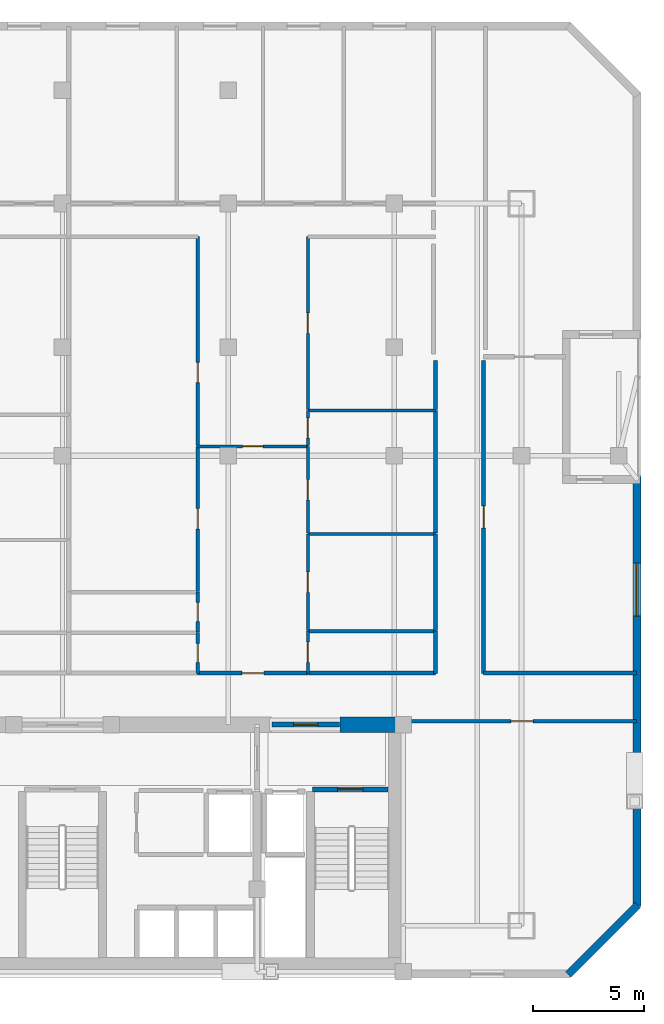
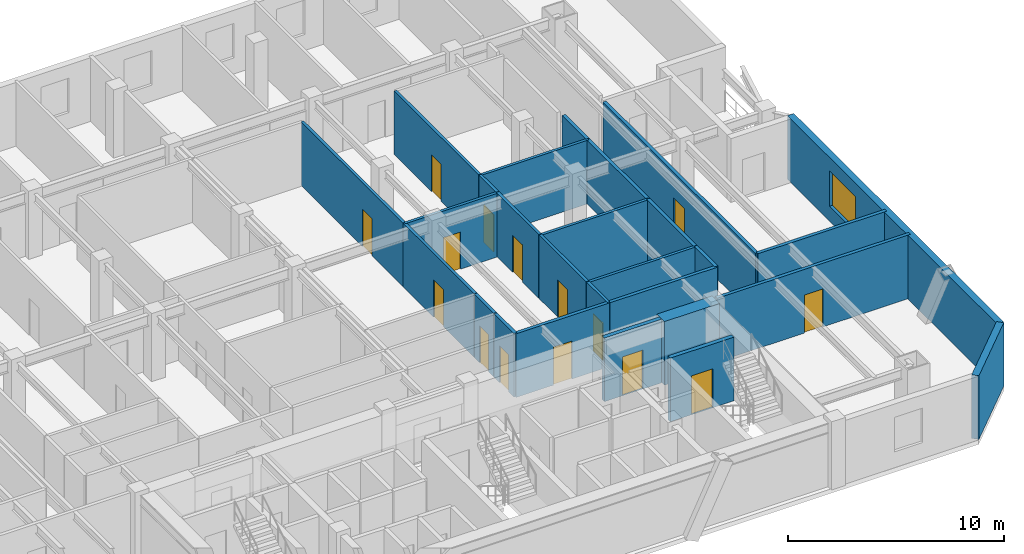
# One storey, part 5 of 9: 27 walls, 15 doors, 1 window, 16 openings.
"""IFC4 building model written with IfcOpenShell, lengths in metres."""

from ifc_helpers import new_model, si_unit, direction, frame, frame_2d, origin, place, context, subcontext, project, spatial, rectangle, extrude, material, layer, layer_set, type_object, element, fill, save


model = new_model("IFC4")

# Units and contexts
model_context = context("Model", 3, precision=1e-05, world=origin(), true_north=direction((0.0, 1.0)))
body_context = subcontext(model_context, "Body", "Model", "MODEL_VIEW")
ifc_project = project(units=[si_unit("LENGTHUNIT", "METRE"), si_unit("AREAUNIT", "SQUARE_METRE"), si_unit("VOLUMEUNIT", "CUBIC_METRE"), si_unit("PLANEANGLEUNIT", "RADIAN"), si_unit("MASSUNIT", "GRAM", prefix="KILO")], contexts=[model_context])

# Site, building, storey
site_placement = place(None, origin())
site = spatial("IfcSite", under=ifc_project, at=site_placement, CompositionType="ELEMENT")
building_placement = place(site_placement, origin())
building = spatial("IfcBuilding", under=site, at=building_placement, Name="Ventersveld Concourse Tower", CompositionType="ELEMENT")
storey_placement = place(building_placement, frame((0.0, 0.0, 108.0)))
storey = spatial("IfcBuildingStorey", under=building, at=storey_placement, Name="L26", CompositionType="ELEMENT", Elevation=108.0)

# Wall
ifc_material_1 = material(Name="Concrete C60/75", Category="concrete")
ifc_layer_1 = layer(ifc_material_1, 0.699951171875)
ifc_layer_set_1 = layer_set([ifc_layer_1], Name="Concrete C60/75")
wall_type_1 = type_object("IfcWallType", Name="WL-CORE-700", PredefinedType="SHEAR", material=ifc_layer_set_1)
wall_1_placement = place(storey_placement, frame((41.300048828125, 11.449951171875, 0.0), z_axis=(0.0, 0.0, 1.0), x_axis=(1.0, 0.0, 0.0)))
element("IfcWall", 1, at=wall_1_placement, inside=storey, type_object=wall_type_1, Name="L26 Rear Core North Shear Wall NE", PredefinedType="SHEAR", context=body_context, shape_type="SweptSolid", body=[
    extrude(rectangle(XDim=2.949951171875, YDim=0.699951171875, at=frame_2d((1.47509765625, 0.0))), origin(), (0.0, 0.0, 1.0), 3.60009765625),
])

# Wall, opening, door
ifc_material_2 = material(Name="Fire-rated autoclaved aerated masonry blockwork", Category="masonry")
ifc_layer_2 = layer(ifc_material_2, 0.179931640625)
ifc_layer_set_2 = layer_set([ifc_layer_2], Name="Fire-rated autoclaved aerated masonry blockwork")
wall_type_2 = type_object("IfcWallType", Name="WL-CORR-180", PredefinedType="PARTITIONING", material=ifc_layer_set_2)
wall_2_placement = place(storey_placement, frame((44.35498046875, 11.60009765625, 0.0), z_axis=(0.0, 0.0, 1.0), x_axis=(1.0, 0.0, 0.0)))
wall_2 = element("IfcWall", 2, at=wall_2_placement, inside=storey, type_object=wall_type_2, Name="L26 Interior Partition SP-L26-SE-OFF-SP-L26-COR", PredefinedType="PARTITIONING", context=body_context, shape_type="SweptSolid", body=[
    extrude(rectangle(XDim=10.3349609375, YDim=0.179931640625, at=frame_2d((5.16748046875, 0.0))), origin(), (0.0, 0.0, 1.0), 3.60009765625),
])
opening_1_placement = place(wall_2_placement, frame((4.66748046875, 0.0, 0.0)))
opening_1 = element("IfcOpeningElement", 3, at=opening_1_placement, cuts=wall_2, Name="Opening FD3", PredefinedType="OPENING", context=body_context, shape_type="SweptSolid", body=[
    extrude(rectangle(XDim=1.0, YDim=2.14990234375, at=frame_2d((0.5, 1.074951171875))), frame((0.0, 0.10009765625, 0.0), z_axis=(0.0, -1.0, 0.0), x_axis=(1.0, 0.0, 0.0)), (0.0, 0.0, 1.0), 0.199951171875),
])
ifc_material_3 = material(Name="Solid-core hardwood veneer timber", Category="wood")
door_type_1 = type_object("IfcDoorType", Name="DR-FLAT-100", OperationType="NOTDEFINED", PredefinedType="DOOR", material=ifc_material_3)
door_1_placement = place(opening_1_placement, origin())
door_1 = element("IfcDoor", 4, at=door_1_placement, inside=storey, type_object=door_type_1, Name="L26 Interior Door SP-L26-SE-OFF to SP-L26-COR (D-L26-1276)", OperationType="SINGLE_SWING_RIGHT", OverallHeight=2.14990234375, OverallWidth=1.0, PredefinedType="DOOR", context=body_context, shape_type="SweptSolid", body=[
    extrude(rectangle(XDim=1.0, YDim=2.14990234375, at=frame_2d((0.5, 1.074951171875))), frame((0.0, 0.02490234375, 0.0), z_axis=(0.0, -1.0, 0.0), x_axis=(1.0, 0.0, 0.0)), (0.0, 0.0, 1.0), 0.050048828125),
])
fill(opening_1, door_1)

wall_3_placement = place(storey_placement, frame((47.7900390625, 13.764892578125, 0.0), z_axis=(0.0, 0.0, 1.0), x_axis=(0.0, 1.0, 0.0)))
wall_3 = element("IfcWall", 5, at=wall_3_placement, inside=storey, type_object=wall_type_2, Name="L26 Interior Partition SP-L26-COR-SP-L26-NELNG1", PredefinedType="PARTITIONING", context=body_context, shape_type="SweptSolid", body=[
    extrude(rectangle(XDim=14.130126953125, YDim=0.179931640625, at=frame_2d((7.06494140625, 0.0))), origin(), (0.0, 0.0, 1.0), 3.60009765625),
])
opening_2_placement = place(wall_3_placement, frame((6.56494140625, 0.0, 0.0)))
opening_2 = element("IfcOpeningElement", 6, at=opening_2_placement, cuts=wall_3, Name="Opening FD3", PredefinedType="OPENING", context=body_context, shape_type="SweptSolid", body=[
    extrude(rectangle(XDim=1.0, YDim=2.14990234375, at=frame_2d((0.5, 1.074951171875))), frame((0.0, 0.10009765625, 0.0), z_axis=(0.0, -1.0, 0.0), x_axis=(1.0, 0.0, 0.0)), (0.0, 0.0, 1.0), 0.199951171875),
])
door_2_placement = place(opening_2_placement, origin())
door_2 = element("IfcDoor", 7, at=door_2_placement, inside=storey, type_object=door_type_1, Name="L26 Interior Door SP-L26-COR to SP-L26-NELNG1 (D-L26-1278)", OperationType="SINGLE_SWING_RIGHT", OverallHeight=2.14990234375, OverallWidth=1.0, PredefinedType="DOOR", context=body_context, shape_type="SweptSolid", body=[
    extrude(rectangle(XDim=1.0, YDim=2.14990234375, at=frame_2d((0.5, 1.074951171875))), frame((0.0, 0.02490234375, 0.0), z_axis=(0.0, -1.0, 0.0), x_axis=(1.0, 0.0, 0.0)), (0.0, 0.0, 1.0), 0.050048828125),
])
fill(opening_2, door_2)

# Wall
wall_4_placement = place(storey_placement, frame((47.784912109375, 13.77001953125, 0.0), z_axis=(0.0, 0.0, 1.0), x_axis=(1.0, 0.0, 0.0)))
element("IfcWall", 8, at=wall_4_placement, inside=storey, type_object=wall_type_2, Name="L26 Interior Partition SP-L26-COR-SP-L26-NELNG1", PredefinedType="PARTITIONING", context=body_context, shape_type="SweptSolid", body=[
    extrude(rectangle(XDim=6.905029296875, YDim=0.179931640625, at=frame_2d((3.45263671875, 0.0))), origin(), (0.0, 0.0, 1.0), 3.60009765625),
])

# Wall, opening, door
wall_5_placement = place(storey_placement, frame((34.862548828125, 13.77001953125, 0.0), z_axis=(0.0, 0.0, 1.0), x_axis=(1.0, 0.0, 0.0)))
wall_5 = element("IfcWall", 9, at=wall_5_placement, inside=storey, type_object=wall_type_2, Name="L26 Interior Partition SP-L26-COR-SP-L26-26N2-FOY", PredefinedType="PARTITIONING", context=body_context, shape_type="SweptSolid", body=[
    extrude(rectangle(XDim=4.989990234375, YDim=0.179931640625, at=frame_2d((2.4951171875, 0.0))), origin(), (0.0, 0.0, 1.0), 3.60009765625),
])
opening_3_placement = place(wall_5_placement, frame((1.9951171875, 0.0, 0.0)))
opening_3 = element("IfcOpeningElement", 10, at=opening_3_placement, cuts=wall_5, Name="Opening FD3", PredefinedType="OPENING", context=body_context, shape_type="SweptSolid", body=[
    extrude(rectangle(XDim=1.0, YDim=2.14990234375, at=frame_2d((0.5, 1.074951171875))), frame((0.0, 0.10009765625, 0.0), z_axis=(0.0, -1.0, 0.0), x_axis=(1.0, 0.0, 0.0)), (0.0, 0.0, 1.0), 0.199951171875),
])
door_3_placement = place(opening_3_placement, origin())
door_3 = element("IfcDoor", 11, at=door_3_placement, inside=storey, type_object=door_type_1, Name="L26 Interior Door SP-L26-COR to SP-L26-26N2-FOY (FD-L26-1280)", OperationType="SINGLE_SWING_RIGHT", OverallHeight=2.14990234375, OverallWidth=1.0, PredefinedType="DOOR", context=body_context, shape_type="SweptSolid", body=[
    extrude(rectangle(XDim=1.0, YDim=2.14990234375, at=frame_2d((0.5, 1.074951171875))), frame((0.0, 0.02490234375, 0.0), z_axis=(0.0, -1.0, 0.0), x_axis=(1.0, 0.0, 0.0)), (0.0, 0.0, 1.0), 0.050048828125),
])
fill(opening_3, door_3)

# Walls
wall_6_placement = place(storey_placement, frame((39.882568359375, 13.77001953125, 0.0), z_axis=(0.0, 0.0, 1.0), x_axis=(1.0, 0.0, 0.0)))
element("IfcWall", 12, at=wall_6_placement, inside=storey, type_object=wall_type_2, Name="L26 Interior Partition SP-L26-COR-SP-L26-26N2-KIT", PredefinedType="PARTITIONING", context=body_context, shape_type="SweptSolid", body=[
    extrude(rectangle(XDim=5.732421875, YDim=0.179931640625, at=frame_2d((2.8662109375, 0.0))), origin(), (0.0, 0.0, 1.0), 3.60009765625),
])
wall_7_placement = place(storey_placement, frame((45.610107421875, 13.764892578125, 0.0), z_axis=(0.0, 0.0, 1.0), x_axis=(0.0, 1.0, 0.0)))
element("IfcWall", 13, at=wall_7_placement, inside=storey, type_object=wall_type_2, Name="L26 Interior Partition SP-L26-COR-SP-L26-26N2-KIT", PredefinedType="PARTITIONING", context=body_context, shape_type="SweptSolid", body=[
    extrude(rectangle(XDim=1.909912109375, YDim=0.179931640625, at=frame_2d((0.955078125, 0.0))), origin(), (0.0, 0.0, 1.0), 3.60009765625),
])
wall_8_placement = place(storey_placement, frame((45.610107421875, 15.70458984375, 0.0), z_axis=(0.0, 0.0, 1.0), x_axis=(0.0, 1.0, 0.0)))
element("IfcWall", 14, at=wall_8_placement, inside=storey, type_object=wall_type_2, Name="L26 Interior Partition SP-L26-COR-SP-L26-26N2-MEDR1", PredefinedType="PARTITIONING", context=body_context, shape_type="SweptSolid", body=[
    extrude(rectangle(XDim=4.3662109375, YDim=0.179931640625, at=frame_2d((2.18310546875, 0.0))), origin(), (0.0, 0.0, 1.0), 3.60009765625),
])
wall_9_placement = place(storey_placement, frame((45.610107421875, 20.100830078125, 0.0), z_axis=(0.0, 0.0, 1.0), x_axis=(0.0, 1.0, 0.0)))
element("IfcWall", 15, at=wall_9_placement, inside=storey, type_object=wall_type_2, Name="L26 Interior Partition SP-L26-COR-SP-L26-26N2-DENS", PredefinedType="PARTITIONING", context=body_context, shape_type="SweptSolid", body=[
    extrude(rectangle(XDim=5.550537109375, YDim=0.179931640625, at=frame_2d((2.775390625, 0.0))), origin(), (0.0, 0.0, 1.0), 3.60009765625),
])
wall_10_placement = place(storey_placement, frame((45.610107421875, 25.681396484375, 0.0), z_axis=(0.0, 0.0, 1.0), x_axis=(0.0, 1.0, 0.0)))
element("IfcWall", 16, at=wall_10_placement, inside=storey, type_object=wall_type_2, Name="L26 Interior Partition SP-L26-COR-SP-L26-26N2-DENS2", PredefinedType="PARTITIONING", context=body_context, shape_type="SweptSolid", body=[
    extrude(rectangle(XDim=2.213623046875, YDim=0.179931640625, at=frame_2d((1.10693359375, 0.0))), origin(), (0.0, 0.0, 1.0), 3.60009765625),
])

# Wall, opening, door
ifc_layer_3 = layer(ifc_material_2, 0.219970703125)
ifc_layer_set_3 = layer_set([ifc_layer_3], Name="Fire-rated autoclaved aerated masonry blockwork")
wall_type_3 = type_object("IfcWallType", Name="WL-HOIST-220", PredefinedType="SOLIDWALL", material=ifc_layer_set_3)
wall_11_placement = place(storey_placement, frame((40.06005859375, 8.52001953125, 0.0), z_axis=(0.0, 0.0, 1.0), x_axis=(1.0, 0.0, 0.0)))
wall_11 = element("IfcWall", 17, at=wall_11_placement, inside=storey, type_object=wall_type_3, Name="L26 Escape Stair ST02 Fire Wall", PredefinedType="SOLIDWALL", context=body_context, shape_type="SweptSolid", body=[
    extrude(rectangle(XDim=3.39990234375, YDim=0.219970703125, at=frame_2d((1.699951171875, 0.0))), origin(), (0.0, 0.0, 1.0), 3.60009765625),
])
opening_4_placement = place(wall_11_placement, frame((1.125, 0.0, 0.0)))
opening_4 = element("IfcOpeningElement", 18, at=opening_4_placement, cuts=wall_11, Name="Opening FD1", PredefinedType="OPENING", context=body_context, shape_type="SweptSolid", body=[
    extrude(rectangle(XDim=1.14990234375, YDim=2.199951171875, at=frame_2d((0.574951171875, 1.10009765625))), frame((0.0, 0.1201171875, 0.0), z_axis=(0.0, -1.0, 0.0), x_axis=(1.0, 0.0, 0.0)), (0.0, 0.0, 1.0), 0.239990234375),
])
ifc_material_4 = material(Name="Galvanised painted steel", Category="steel")
door_type_2 = type_object("IfcDoorType", Name="DR-STAIR-115", OperationType="NOTDEFINED", PredefinedType="DOOR", material=ifc_material_4)
door_4_placement = place(opening_4_placement, origin())
door_4 = element("IfcDoor", 19, at=door_4_placement, inside=storey, type_object=door_type_2, Name="L26 Escape Stair Door ST02 (SD-L26-1267)", OperationType="SINGLE_SWING_RIGHT", OverallHeight=2.199951171875, OverallWidth=1.14990234375, PredefinedType="DOOR", context=body_context, shape_type="SweptSolid", body=[
    extrude(rectangle(XDim=1.14990234375, YDim=2.199951171875, at=frame_2d((0.574951171875, 1.10009765625))), frame((0.0, 0.02490234375, 0.0), z_axis=(0.0, -1.0, 0.0), x_axis=(1.0, 0.0, 0.0)), (0.0, 0.0, 1.0), 0.050048828125),
])
fill(opening_4, door_4)

wall_12_placement = place(storey_placement, frame((38.22998046875, 11.449951171875, 0.0), z_axis=(0.0, 0.0, 1.0), x_axis=(1.0, 0.0, 0.0)))
wall_12 = element("IfcWall", 20, at=wall_12_placement, inside=storey, type_object=wall_type_3, Name="L26 Core North Fire Portal FFLE-OUT", PredefinedType="SOLIDWALL", context=body_context, shape_type="SweptSolid", body=[
    extrude(rectangle(XDim=3.0400390625, YDim=0.219970703125, at=frame_2d((1.52001953125, 0.0))), origin(), (0.0, 0.0, 1.0), 3.60009765625),
])
opening_5_placement = place(wall_12_placement, frame((0.969970703125, 0.0, 0.0)))
opening_5 = element("IfcOpeningElement", 21, at=opening_5_placement, cuts=wall_12, Name="Opening FD2", PredefinedType="OPENING", context=body_context, shape_type="SweptSolid", body=[
    extrude(rectangle(XDim=1.10009765625, YDim=2.199951171875, at=frame_2d((0.550048828125, 1.10009765625))), frame((0.0, 0.1201171875, 0.0), z_axis=(0.0, -1.0, 0.0), x_axis=(1.0, 0.0, 0.0)), (0.0, 0.0, 1.0), 0.239990234375),
])
door_type_3 = type_object("IfcDoorType", Name="DR-FFL-110", OperationType="NOTDEFINED", PredefinedType="DOOR", material=ifc_material_4)
door_5_placement = place(opening_5_placement, origin())
door_5 = element("IfcDoor", 22, at=door_5_placement, inside=storey, type_object=door_type_3, Name="L26 Core Lobby Fire Door FFLE-OUT (FD-L26-1273)", OperationType="SINGLE_SWING_LEFT", OverallHeight=2.199951171875, OverallWidth=1.10009765625, PredefinedType="DOOR", context=body_context, shape_type="SweptSolid", body=[
    extrude(rectangle(XDim=1.10009765625, YDim=2.199951171875, at=frame_2d((0.550048828125, 1.10009765625))), frame((0.0, 0.02490234375, 0.0), z_axis=(0.0, -1.0, 0.0), x_axis=(1.0, 0.0, 0.0)), (0.0, 0.0, 1.0), 0.050048828125),
])
fill(opening_5, door_5)

ifc_material_5 = material(Name="Autoclaved aerated masonry blockwork", Category="masonry")
ifc_layer_4 = layer(ifc_material_5, 0.14990234375)
ifc_layer_set_4 = layer_set([ifc_layer_4], Name="Autoclaved aerated masonry blockwork")
wall_type_4 = type_object("IfcWallType", Name="WL-INT-150", PredefinedType="PARTITIONING", material=ifc_layer_set_4)
wall_13_placement = place(storey_placement, frame((34.862548828125, 24.021484375, 0.0), z_axis=(0.0, 0.0, 1.0), x_axis=(1.0, 0.0, 0.0)))
wall_13 = element("IfcWall", 23, at=wall_13_placement, inside=storey, type_object=wall_type_4, Name="L26 Interior Partition SP-L26-26N2-FOY-SP-L26-26N2-LIV", PredefinedType="PARTITIONING", context=body_context, shape_type="SweptSolid", body=[
    extrude(rectangle(XDim=4.989990234375, YDim=0.14990234375, at=frame_2d((2.4951171875, 0.0))), origin(), (0.0, 0.0, 1.0), 3.60009765625),
])
opening_6_placement = place(wall_13_placement, frame((2.034912109375, 0.0, 0.0)))
opening_6 = element("IfcOpeningElement", 24, at=opening_6_placement, cuts=wall_13, Name="Opening ID1", PredefinedType="OPENING", context=body_context, shape_type="SweptSolid", body=[
    extrude(rectangle(XDim=0.919921875, YDim=2.10009765625, at=frame_2d((0.4599609375, 1.050048828125))), frame((0.0, 0.0849609375, 0.0), z_axis=(0.0, -1.0, 0.0), x_axis=(1.0, 0.0, 0.0)), (0.0, 0.0, 1.0), 0.169921875),
])
door_type_4 = type_object("IfcDoorType", Name="DR-ROOM-092", OperationType="NOTDEFINED", PredefinedType="DOOR", material=ifc_material_3)
door_6_placement = place(opening_6_placement, origin())
door_6 = element("IfcDoor", 25, at=door_6_placement, inside=storey, type_object=door_type_4, Name="L26 Interior Door SP-L26-26N2-FOY to SP-L26-26N2-LIV (D-L26-1297)", OperationType="SINGLE_SWING_LEFT", OverallHeight=2.10009765625, OverallWidth=0.919921875, PredefinedType="DOOR", context=body_context, shape_type="SweptSolid", body=[
    extrude(rectangle(XDim=0.919921875, YDim=2.10009765625, at=frame_2d((0.4599609375, 1.050048828125))), frame((0.0, 0.02490234375, 0.0), z_axis=(0.0, -1.0, 0.0), x_axis=(1.0, 0.0, 0.0)), (0.0, 0.0, 1.0), 0.050048828125),
])
fill(opening_6, door_6)

wall_14_placement = place(storey_placement, frame((34.867431640625, 17.465087890625, 0.0), z_axis=(0.0, 0.0, 1.0), x_axis=(0.0, 1.0, 0.0)))
wall_14 = element("IfcWall", 26, at=wall_14_placement, inside=storey, type_object=wall_type_4, Name="L26 Interior Partition SP-L26-26N2-FOY-SP-L26-26N2-OFFL0", PredefinedType="PARTITIONING", context=body_context, shape_type="SweptSolid", body=[
    extrude(rectangle(XDim=6.561279296875, YDim=0.14990234375, at=frame_2d((3.28076171875, 0.0))), origin(), (0.0, 0.0, 1.0), 3.60009765625),
])
opening_7_placement = place(wall_14_placement, frame((2.82080078125, 0.0, 0.0)))
opening_7 = element("IfcOpeningElement", 27, at=opening_7_placement, cuts=wall_14, Name="Opening ID1", PredefinedType="OPENING", context=body_context, shape_type="SweptSolid", body=[
    extrude(rectangle(XDim=0.919921875, YDim=2.10009765625, at=frame_2d((0.4599609375, 1.050048828125))), frame((0.0, 0.0849609375, 0.0), z_axis=(0.0, -1.0, 0.0), x_axis=(1.0, 0.0, 0.0)), (0.0, 0.0, 1.0), 0.169921875),
])
door_7_placement = place(opening_7_placement, origin())
door_7 = element("IfcDoor", 28, at=door_7_placement, inside=storey, type_object=door_type_4, Name="L26 Interior Door SP-L26-26N2-FOY to SP-L26-26N2-OFFL0 (D-L26-1300)", OperationType="SINGLE_SWING_RIGHT", OverallHeight=2.10009765625, OverallWidth=0.919921875, PredefinedType="DOOR", context=body_context, shape_type="SweptSolid", body=[
    extrude(rectangle(XDim=0.919921875, YDim=2.10009765625, at=frame_2d((0.4599609375, 1.050048828125))), frame((0.0, 0.02490234375, 0.0), z_axis=(0.0, -1.0, 0.0), x_axis=(1.0, 0.0, 0.0)), (0.0, 0.0, 1.0), 0.050048828125),
])
fill(opening_7, door_7)

wall_15_placement = place(storey_placement, frame((39.847412109375, 13.764892578125, 0.0), z_axis=(0.0, 0.0, 1.0), x_axis=(0.0, 1.0, 0.0)))
wall_15 = element("IfcWall", 29, at=wall_15_placement, inside=storey, type_object=wall_type_4, Name="L26 Interior Partition SP-L26-26N2-FOY-SP-L26-26N2-KIT", PredefinedType="PARTITIONING", context=body_context, shape_type="SweptSolid", body=[
    extrude(rectangle(XDim=1.909912109375, YDim=0.14990234375, at=frame_2d((0.955078125, 0.0))), origin(), (0.0, 0.0, 1.0), 3.60009765625),
])
opening_8_placement = place(wall_15_placement, frame((0.494873046875, 0.0, 0.0)))
opening_8 = element("IfcOpeningElement", 30, at=opening_8_placement, cuts=wall_15, Name="Opening ID1", PredefinedType="OPENING", context=body_context, shape_type="SweptSolid", body=[
    extrude(rectangle(XDim=0.919921875, YDim=2.10009765625, at=frame_2d((0.4599609375, 1.050048828125))), frame((0.0, 0.0849609375, 0.0), z_axis=(0.0, -1.0, 0.0), x_axis=(1.0, 0.0, 0.0)), (0.0, 0.0, 1.0), 0.169921875),
])
door_8_placement = place(opening_8_placement, origin())
door_8 = element("IfcDoor", 31, at=door_8_placement, inside=storey, type_object=door_type_4, Name="L26 Interior Door SP-L26-26N2-FOY to SP-L26-26N2-KIT (D-L26-1301)", OperationType="SINGLE_SWING_LEFT", OverallHeight=2.10009765625, OverallWidth=0.919921875, PredefinedType="DOOR", context=body_context, shape_type="SweptSolid", body=[
    extrude(rectangle(XDim=0.919921875, YDim=2.10009765625, at=frame_2d((0.4599609375, 1.050048828125))), frame((0.0, 0.02490234375, 0.0), z_axis=(0.0, -1.0, 0.0), x_axis=(1.0, 0.0, 0.0)), (0.0, 0.0, 1.0), 0.050048828125),
])
fill(opening_8, door_8)

wall_16_placement = place(storey_placement, frame((39.847412109375, 15.70458984375, 0.0), z_axis=(0.0, 0.0, 1.0), x_axis=(0.0, 1.0, 0.0)))
wall_16 = element("IfcWall", 32, at=wall_16_placement, inside=storey, type_object=wall_type_4, Name="L26 Interior Partition SP-L26-26N2-FOY-SP-L26-26N2-MEDR1", PredefinedType="PARTITIONING", context=body_context, shape_type="SweptSolid", body=[
    extrude(rectangle(XDim=4.3662109375, YDim=0.14990234375, at=frame_2d((2.18310546875, 0.0))), origin(), (0.0, 0.0, 1.0), 3.60009765625),
])
opening_9_placement = place(wall_16_placement, frame((1.72314453125, 0.0, 0.0)))
opening_9 = element("IfcOpeningElement", 33, at=opening_9_placement, cuts=wall_16, Name="Opening ID1", PredefinedType="OPENING", context=body_context, shape_type="SweptSolid", body=[
    extrude(rectangle(XDim=0.919921875, YDim=2.10009765625, at=frame_2d((0.4599609375, 1.050048828125))), frame((0.0, 0.0849609375, 0.0), z_axis=(0.0, -1.0, 0.0), x_axis=(1.0, 0.0, 0.0)), (0.0, 0.0, 1.0), 0.169921875),
])
door_9_placement = place(opening_9_placement, origin())
door_9 = element("IfcDoor", 34, at=door_9_placement, inside=storey, type_object=door_type_4, Name="L26 Interior Door SP-L26-26N2-FOY to SP-L26-26N2-MEDR1 (D-L26-1302)", OperationType="SINGLE_SWING_RIGHT", OverallHeight=2.10009765625, OverallWidth=0.919921875, PredefinedType="DOOR", context=body_context, shape_type="SweptSolid", body=[
    extrude(rectangle(XDim=0.919921875, YDim=2.10009765625, at=frame_2d((0.4599609375, 1.050048828125))), frame((0.0, 0.02490234375, 0.0), z_axis=(0.0, -1.0, 0.0), x_axis=(1.0, 0.0, 0.0)), (0.0, 0.0, 1.0), 0.050048828125),
])
fill(opening_9, door_9)

wall_17_placement = place(storey_placement, frame((39.847412109375, 20.100830078125, 0.0), z_axis=(0.0, 0.0, 1.0), x_axis=(0.0, 1.0, 0.0)))
wall_17 = element("IfcWall", 35, at=wall_17_placement, inside=storey, type_object=wall_type_4, Name="L26 Interior Partition SP-L26-26N2-FOY-SP-L26-26N2-DENS", PredefinedType="PARTITIONING", context=body_context, shape_type="SweptSolid", body=[
    extrude(rectangle(XDim=3.925537109375, YDim=0.14990234375, at=frame_2d((1.962890625, 0.0))), origin(), (0.0, 0.0, 1.0), 3.60009765625),
])
opening_10_placement = place(wall_17_placement, frame((1.502685546875, 0.0, 0.0)))
opening_10 = element("IfcOpeningElement", 36, at=opening_10_placement, cuts=wall_17, Name="Opening ID1", PredefinedType="OPENING", context=body_context, shape_type="SweptSolid", body=[
    extrude(rectangle(XDim=0.919921875, YDim=2.10009765625, at=frame_2d((0.4599609375, 1.050048828125))), frame((0.0, 0.0849609375, 0.0), z_axis=(0.0, -1.0, 0.0), x_axis=(1.0, 0.0, 0.0)), (0.0, 0.0, 1.0), 0.169921875),
])
door_10_placement = place(opening_10_placement, origin())
door_10 = element("IfcDoor", 37, at=door_10_placement, inside=storey, type_object=door_type_4, Name="L26 Interior Door SP-L26-26N2-FOY to SP-L26-26N2-DENS (D-L26-1303)", OperationType="SINGLE_SWING_LEFT", OverallHeight=2.10009765625, OverallWidth=0.919921875, PredefinedType="DOOR", context=body_context, shape_type="SweptSolid", body=[
    extrude(rectangle(XDim=0.919921875, YDim=2.10009765625, at=frame_2d((0.4599609375, 1.050048828125))), frame((0.0, 0.02490234375, 0.0), z_axis=(0.0, -1.0, 0.0), x_axis=(1.0, 0.0, 0.0)), (0.0, 0.0, 1.0), 0.050048828125),
])
fill(opening_10, door_10)

wall_18_placement = place(storey_placement, frame((34.867431640625, 24.056396484375, 0.0), z_axis=(0.0, 0.0, 1.0), x_axis=(0.0, 1.0, 0.0)))
wall_18 = element("IfcWall", 38, at=wall_18_placement, inside=storey, type_object=wall_type_4, Name="L26 Interior Partition SP-L26-26N2-LIV-SP-L26-26N2-OFFL0", PredefinedType="PARTITIONING", context=body_context, shape_type="SweptSolid", body=[
    extrude(rectangle(XDim=9.448486328125, YDim=0.14990234375, at=frame_2d((4.72412109375, 0.0))), origin(), (0.0, 0.0, 1.0), 3.60009765625),
])
opening_11_placement = place(wall_18_placement, frame((2.846923828125, 0.0, 0.0)))
opening_11 = element("IfcOpeningElement", 39, at=opening_11_placement, cuts=wall_18, Name="Opening ID1", PredefinedType="OPENING", context=body_context, shape_type="SweptSolid", body=[
    extrude(rectangle(XDim=0.919921875, YDim=2.10009765625, at=frame_2d((0.4599609375, 1.050048828125))), frame((0.0, 0.0849609375, 0.0), z_axis=(0.0, -1.0, 0.0), x_axis=(1.0, 0.0, 0.0)), (0.0, 0.0, 1.0), 0.169921875),
])
door_11_placement = place(opening_11_placement, origin())
door_11 = element("IfcDoor", 40, at=door_11_placement, inside=storey, type_object=door_type_4, Name="L26 Interior Door SP-L26-26N2-LIV to SP-L26-26N2-OFFL0 (D-L26-1304)", OperationType="SINGLE_SWING_RIGHT", OverallHeight=2.10009765625, OverallWidth=0.919921875, PredefinedType="DOOR", context=body_context, shape_type="SweptSolid", body=[
    extrude(rectangle(XDim=0.919921875, YDim=2.10009765625, at=frame_2d((0.4599609375, 1.050048828125))), frame((0.0, 0.02490234375, 0.0), z_axis=(0.0, -1.0, 0.0), x_axis=(1.0, 0.0, 0.0)), (0.0, 0.0, 1.0), 0.050048828125),
])
fill(opening_11, door_11)

wall_19_placement = place(storey_placement, frame((39.847412109375, 24.056396484375, 0.0), z_axis=(0.0, 0.0, 1.0), x_axis=(0.0, 1.0, 0.0)))
wall_19 = element("IfcWall", 41, at=wall_19_placement, inside=storey, type_object=wall_type_4, Name="L26 Interior Partition SP-L26-26N2-LIV-SP-L26-26N2-DENS", PredefinedType="PARTITIONING", context=body_context, shape_type="SweptSolid", body=[
    extrude(rectangle(XDim=1.594970703125, YDim=0.14990234375, at=frame_2d((0.79736328125, 0.0))), origin(), (0.0, 0.0, 1.0), 3.60009765625),
])
opening_12_placement = place(wall_19_placement, frame((0.33740234375, 0.0, 0.0)))
opening_12 = element("IfcOpeningElement", 42, at=opening_12_placement, cuts=wall_19, Name="Opening ID1", PredefinedType="OPENING", context=body_context, shape_type="SweptSolid", body=[
    extrude(rectangle(XDim=0.919921875, YDim=2.10009765625, at=frame_2d((0.4599609375, 1.050048828125))), frame((0.0, 0.0849609375, 0.0), z_axis=(0.0, -1.0, 0.0), x_axis=(1.0, 0.0, 0.0)), (0.0, 0.0, 1.0), 0.169921875),
])
door_12_placement = place(opening_12_placement, origin())
door_12 = element("IfcDoor", 43, at=door_12_placement, inside=storey, type_object=door_type_4, Name="L26 Interior Door SP-L26-26N2-LIV to SP-L26-26N2-DENS (D-L26-1305)", OperationType="SINGLE_SWING_LEFT", OverallHeight=2.10009765625, OverallWidth=0.919921875, PredefinedType="DOOR", context=body_context, shape_type="SweptSolid", body=[
    extrude(rectangle(XDim=0.919921875, YDim=2.10009765625, at=frame_2d((0.4599609375, 1.050048828125))), frame((0.0, 0.02490234375, 0.0), z_axis=(0.0, -1.0, 0.0), x_axis=(1.0, 0.0, 0.0)), (0.0, 0.0, 1.0), 0.050048828125),
])
fill(opening_12, door_12)

wall_20_placement = place(storey_placement, frame((39.847412109375, 25.681396484375, 0.0), z_axis=(0.0, 0.0, 1.0), x_axis=(0.0, 1.0, 0.0)))
wall_20 = element("IfcWall", 44, at=wall_20_placement, inside=storey, type_object=wall_type_4, Name="L26 Interior Partition SP-L26-26N2-LIV-SP-L26-26N2-DENS2", PredefinedType="PARTITIONING", context=body_context, shape_type="SweptSolid", body=[
    extrude(rectangle(XDim=7.823486328125, YDim=0.14990234375, at=frame_2d((3.91162109375, 0.0))), origin(), (0.0, 0.0, 1.0), 3.60009765625),
])
opening_13_placement = place(wall_20_placement, frame((3.451904296875, 0.0, 0.0)))
opening_13 = element("IfcOpeningElement", 45, at=opening_13_placement, cuts=wall_20, Name="Opening ID1", PredefinedType="OPENING", context=body_context, shape_type="SweptSolid", body=[
    extrude(rectangle(XDim=0.919921875, YDim=2.10009765625, at=frame_2d((0.4599609375, 1.050048828125))), frame((0.0, 0.0849609375, 0.0), z_axis=(0.0, -1.0, 0.0), x_axis=(1.0, 0.0, 0.0)), (0.0, 0.0, 1.0), 0.169921875),
])
door_13_placement = place(opening_13_placement, origin())
door_13 = element("IfcDoor", 46, at=door_13_placement, inside=storey, type_object=door_type_4, Name="L26 Interior Door SP-L26-26N2-LIV to SP-L26-26N2-DENS2 (D-L26-1306)", OperationType="SINGLE_SWING_RIGHT", OverallHeight=2.10009765625, OverallWidth=0.919921875, PredefinedType="DOOR", context=body_context, shape_type="SweptSolid", body=[
    extrude(rectangle(XDim=0.919921875, YDim=2.10009765625, at=frame_2d((0.4599609375, 1.050048828125))), frame((0.0, 0.02490234375, 0.0), z_axis=(0.0, -1.0, 0.0), x_axis=(1.0, 0.0, 0.0)), (0.0, 0.0, 1.0), 0.050048828125),
])
fill(opening_13, door_13)

# Walls
for number, where, z_axis, x_axis, name in (
    (47, (39.842529296875, 15.669677734375, 0.0), (0.0, 0.0, 1.0), (1.0, 0.0, 0.0), "L26 Interior Partition SP-L26-26N2-KIT-SP-L26-26N2-MEDR1"),
    (48, (39.842529296875, 20.06591796875, 0.0), (0.0, 0.0, 1.0), (1.0, 0.0, 0.0), "L26 Interior Partition SP-L26-26N2-MEDR1-SP-L26-26N2-DENS"),
    (49, (39.842529296875, 25.646240234375, 0.0), (0.0, 0.0, 1.0), (1.0, 0.0, 0.0), "L26 Interior Partition SP-L26-26N2-DENS-SP-L26-26N2-DENS2"),
):
    element("IfcWall", number, at=place(storey_placement, frame(where, z_axis=z_axis, x_axis=x_axis)), inside=storey, type_object=wall_type_4, Name=name, PredefinedType="PARTITIONING", context=body_context, shape_type="SweptSolid", body=[
        extrude(rectangle(XDim=5.7724609375, YDim=0.14990234375, at=frame_2d((2.88623046875, 0.0))), origin(), (0.0, 0.0, 1.0), 3.60009765625),
    ])
ifc_material_6 = material(Name="Precast concrete C45/55", Category="concrete")
ifc_layer_5 = layer(ifc_material_6, 0.35009765625)
ifc_layer_set_5 = layer_set([ifc_layer_5], Name="Precast concrete C45/55")
wall_type_5 = type_object("IfcWallType", Name="WL-PREC-350", PredefinedType="SOLIDWALL", material=ifc_layer_set_5)
wall_21_placement = place(storey_placement, frame((51.6044921875, 0.152099609375, 0.0), z_axis=(0.0, 0.0, 1.0), x_axis=(0.707134240044, 0.707079321262, 0.0)))
element("IfcWall", 50, at=wall_21_placement, inside=storey, type_object=wall_type_5, Name="L26 Highveld Precast Facade Wall E02", PredefinedType="SOLIDWALL", context=body_context, shape_type="SweptSolid", body=[
    extrude(rectangle(XDim=4.445556640625, YDim=0.35009765625, at=frame_2d((2.22265625, 0.0))), origin(), (0.0, 0.0, 1.0), 3.60009765625),
])

# Wall, opening, window
wall_22_placement = place(storey_placement, frame((54.72509765625, 3.239990234375, 0.0), z_axis=(0.0, 0.0, 1.0), x_axis=(0.0, 1.0, 0.0)))
wall_22 = element("IfcWall", 51, at=wall_22_placement, inside=storey, type_object=wall_type_5, Name="L26 Highveld Precast Facade Wall E03", PredefinedType="SOLIDWALL", context=body_context, shape_type="SweptSolid", body=[
    extrude(rectangle(XDim=19.419921875, YDim=0.35009765625, at=frame_2d((9.7099609375, 0.0))), origin(), (0.0, 0.0, 1.0), 3.60009765625),
])
opening_14_placement = place(wall_22_placement, frame((13.107421875, 0.0, 0.85009765625)))
opening_14 = element("IfcOpeningElement", 52, at=opening_14_placement, cuts=wall_22, Name="Opening W5", PredefinedType="OPENING", context=body_context, shape_type="SweptSolid", body=[
    extrude(rectangle(XDim=2.39990234375, YDim=2.0, at=frame_2d((1.199951171875, 1.0))), frame((0.0, 0.18505859375, 0.0), z_axis=(0.0, -1.0, 0.0), x_axis=(1.0, 0.0, 0.0)), (0.0, 0.0, 1.0), 0.3701171875),
])
ifc_material_7 = material(Name="Tempered acoustic Low-E IGU", Category="glass")
window_type = type_object("IfcWindowType", Name="WIN-240x210", PartitioningType="SINGLE_PANEL", PredefinedType="WINDOW", material=ifc_material_7)
window_placement = place(opening_14_placement, origin())
window = element("IfcWindow", 53, at=window_placement, inside=storey, type_object=window_type, Name="L26 Punched Low-E Window W-0309", OverallHeight=2.0, OverallWidth=2.39990234375, PartitioningType="SINGLE_PANEL", PredefinedType="WINDOW", context=body_context, shape_type="SweptSolid", body=[
    extrude(rectangle(XDim=2.39990234375, YDim=2.0, at=frame_2d((1.199951171875, 1.0))), frame((0.0, 0.030029296875, 0.0), z_axis=(0.0, -1.0, 0.0), x_axis=(1.0, 0.0, 0.0)), (0.0, 0.0, 1.0), 0.06005859375),
])
fill(opening_14, window)

# Wall, opening, door
ifc_layer_6 = layer(ifc_material_5, 0.1650390625)
ifc_layer_set_6 = layer_set([ifc_layer_6], Name="Autoclaved aerated masonry blockwork")
wall_type_6 = type_object("IfcWallType", Name="WL-WET-165", PredefinedType="PLUMBINGWALL", material=ifc_layer_set_6)
wall_23_placement = place(storey_placement, frame((34.867431640625, 13.764892578125, 0.0), z_axis=(0.0, 0.0, 1.0), x_axis=(0.0, 1.0, 0.0)))
wall_23 = element("IfcWall", 54, at=wall_23_placement, inside=storey, type_object=wall_type_6, Name="L26 Interior Partition SP-L26-26N2-FOY-SP-L26-26N2-BATH", PredefinedType="PLUMBINGWALL", context=body_context, shape_type="SweptSolid", body=[
    extrude(rectangle(XDim=1.840087890625, YDim=0.1650390625, at=frame_2d((0.919921875, 0.0))), origin(), (0.0, 0.0, 1.0), 3.60009765625),
])
opening_15_placement = place(wall_23_placement, frame((0.4951171875, 0.0, 0.0)))
opening_15 = element("IfcOpeningElement", 55, at=opening_15_placement, cuts=wall_23, Name="Opening ID2", PredefinedType="OPENING", context=body_context, shape_type="SweptSolid", body=[
    extrude(rectangle(XDim=0.85009765625, YDim=2.10009765625, at=frame_2d((0.425048828125, 1.050048828125))), frame((0.0, 0.092529296875, 0.0), z_axis=(0.0, -1.0, 0.0), x_axis=(1.0, 0.0, 0.0)), (0.0, 0.0, 1.0), 0.18505859375),
])
door_type_5 = type_object("IfcDoorType", Name="DR-BATH-085", OperationType="NOTDEFINED", PredefinedType="DOOR", material=ifc_material_3)
door_14_placement = place(opening_15_placement, origin())
door_14 = element("IfcDoor", 56, at=door_14_placement, inside=storey, type_object=door_type_5, Name="L26 Interior Door SP-L26-26N2-FOY to SP-L26-26N2-BATH (D-L26-1298)", OperationType="SINGLE_SWING_RIGHT", OverallHeight=2.10009765625, OverallWidth=0.85009765625, PredefinedType="DOOR", context=body_context, shape_type="SweptSolid", body=[
    extrude(rectangle(XDim=0.85009765625, YDim=2.10009765625, at=frame_2d((0.425048828125, 1.050048828125))), frame((0.0, 0.02490234375, 0.0), z_axis=(0.0, -1.0, 0.0), x_axis=(1.0, 0.0, 0.0)), (0.0, 0.0, 1.0), 0.050048828125),
])
fill(opening_15, door_14)

wall_24_placement = place(storey_placement, frame((34.867431640625, 15.635009765625, 0.0), z_axis=(0.0, 0.0, 1.0), x_axis=(0.0, 1.0, 0.0)))
wall_24 = element("IfcWall", 57, at=wall_24_placement, inside=storey, type_object=wall_type_6, Name="L26 Interior Partition SP-L26-26N2-FOY-SP-L26-26N2-PWDL2", PredefinedType="PLUMBINGWALL", context=body_context, shape_type="SweptSolid", body=[
    extrude(rectangle(XDim=1.800048828125, YDim=0.1650390625, at=frame_2d((0.89990234375, 0.0))), origin(), (0.0, 0.0, 1.0), 3.60009765625),
])
opening_16_placement = place(wall_24_placement, frame((0.47509765625, 0.0, 0.0)))
opening_16 = element("IfcOpeningElement", 58, at=opening_16_placement, cuts=wall_24, Name="Opening ID2", PredefinedType="OPENING", context=body_context, shape_type="SweptSolid", body=[
    extrude(rectangle(XDim=0.85009765625, YDim=2.10009765625, at=frame_2d((0.425048828125, 1.050048828125))), frame((0.0, 0.092529296875, 0.0), z_axis=(0.0, -1.0, 0.0), x_axis=(1.0, 0.0, 0.0)), (0.0, 0.0, 1.0), 0.18505859375),
])
door_15_placement = place(opening_16_placement, origin())
door_15 = element("IfcDoor", 59, at=door_15_placement, inside=storey, type_object=door_type_5, Name="L26 Interior Door SP-L26-26N2-FOY to SP-L26-26N2-PWDL2 (D-L26-1299)", OperationType="SINGLE_SWING_LEFT", OverallHeight=2.10009765625, OverallWidth=0.85009765625, PredefinedType="DOOR", context=body_context, shape_type="SweptSolid", body=[
    extrude(rectangle(XDim=0.85009765625, YDim=2.10009765625, at=frame_2d((0.425048828125, 1.050048828125))), frame((0.0, 0.02490234375, 0.0), z_axis=(0.0, -1.0, 0.0), x_axis=(1.0, 0.0, 0.0)), (0.0, 0.0, 1.0), 0.050048828125),
])
fill(opening_16, door_15)

save(model, "model.ifc")
